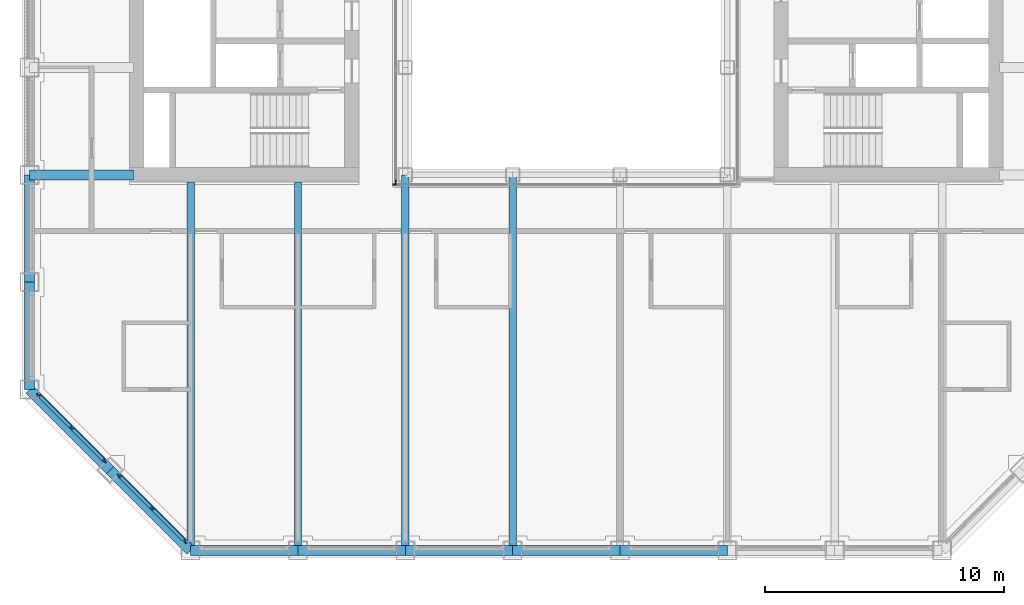
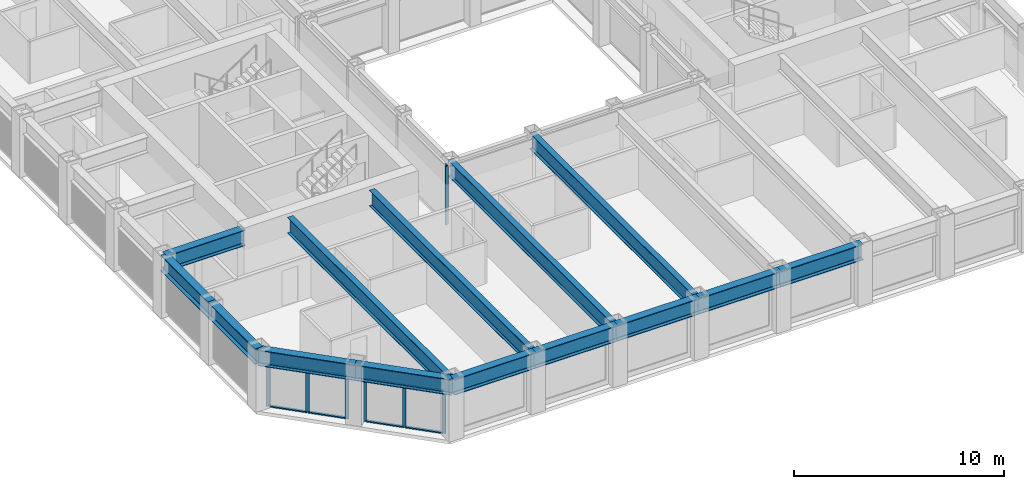
# One storey, part 2 of 17: 16 members, 14 beams, 4 elements without a shape of their own.
"""IFC4 building model written with IfcOpenShell, lengths in metres."""

from ifc_helpers import new_model, si_unit, direction, frame, origin, origin_2d, place, context, subcontext, project, spatial, rectangle, i_section, extrude, material, material_profile, profile_set, type_object, element, aggregate, save


model = new_model("IFC4")

# Units and contexts
model_context = context("Model", 3, precision=1e-05, world=origin(), true_north=direction((0.0, 1.0)))
body_context = subcontext(model_context, "Body", "Model", "MODEL_VIEW")
ifc_project = project(units=[si_unit("LENGTHUNIT", "METRE"), si_unit("AREAUNIT", "SQUARE_METRE"), si_unit("VOLUMEUNIT", "CUBIC_METRE"), si_unit("PLANEANGLEUNIT", "RADIAN"), si_unit("MASSUNIT", "GRAM", prefix="KILO")], contexts=[model_context])

# Site, building, storey
site_placement = place(None, origin())
site = spatial("IfcSite", under=ifc_project, at=site_placement, CompositionType="ELEMENT")
building_placement = place(site_placement, origin())
building = spatial("IfcBuilding", under=site, at=building_placement, Name="Msasa Ring Tower", CompositionType="ELEMENT")
storey_placement = place(building_placement, frame((0.0, 0.0, 143.60009765625)))
storey = spatial("IfcBuildingStorey", under=building, at=storey_placement, Name="L37", CompositionType="ELEMENT", Elevation=143.60009765625)

# Curtain wall, members
ifc_material_1 = material(Name="Aluminium curtain wall with clear glass", Category="aluminium")
curtain_wall_type_1 = type_object("IfcCurtainWallType", Name="CW-C CHAMFER CORNER CURTAIN WALL", PredefinedType="NOTDEFINED", material=ifc_material_1)
curtain_wall_1_placement = place(storey_placement, origin())
curtain_wall_1 = element("IfcCurtainWall", 1, at=curtain_wall_1_placement, inside=storey, type_object=curtain_wall_type_1, Name="Chamfer corner curtain wall SW L37", PredefinedType="NOTDEFINED")
ifc_material_2 = material(Name="Aluminium mullion", Category="aluminium")
ifc_material_profile_1 = material_profile(ifc_material_2, rectangle(XDim=0.06494140625, YDim=0.179931640625, at=origin_2d()), Name="AL 65x180")
ifc_profile_set_1 = profile_set([ifc_material_profile_1], Name="Aluminium mullion")
member_type_1 = type_object("IfcMemberType", Name="CW-C MULLION 65x180", PredefinedType="MULLION", material=ifc_profile_set_1)
member_1_placement = place(storey_placement, frame((-22.119873046875, -15.98876953125, 0.0), z_axis=(0.0, 0.0, 1.0), x_axis=(0.707106781187, 0.707106781187, 0.0)))
member_1 = element("IfcMember", 2, at=member_1_placement, type_object=member_type_1, Name="CW-C mullion 1", PredefinedType="MULLION", context=body_context, shape_type="SweptSolid", body=[
    extrude(rectangle(XDim=0.06494140625, YDim=0.179931640625, at=origin_2d()), origin(), (0.0, 0.0, 1.0), 2.47900390625),
])
member_2_placement = place(storey_placement, frame((-20.74169921875, -17.36669921875, 0.0), z_axis=(0.0, 0.0, 1.0), x_axis=(0.707106781187, 0.707106781187, 0.0)))
member_2 = element("IfcMember", 3, at=member_2_placement, type_object=member_type_1, Name="CW-C mullion 2", PredefinedType="MULLION", context=body_context, shape_type="SweptSolid", body=[
    extrude(rectangle(XDim=0.06494140625, YDim=0.179931640625, at=origin_2d()), origin(), (0.0, 0.0, 1.0), 2.47900390625),
])
member_3_placement = place(storey_placement, frame((-19.36376953125, -18.744873046875, 0.0), z_axis=(0.0, 0.0, 1.0), x_axis=(0.707106781187, 0.707106781187, 0.0)))
member_3 = element("IfcMember", 4, at=member_3_placement, type_object=member_type_1, Name="CW-C mullion 3", PredefinedType="MULLION", context=body_context, shape_type="SweptSolid", body=[
    extrude(rectangle(XDim=0.06494140625, YDim=0.179931640625, at=origin_2d()), origin(), (0.0, 0.0, 1.0), 2.47900390625),
])

curtain_wall_2_placement = place(storey_placement, origin())
curtain_wall_2 = element("IfcCurtainWall", 5, at=curtain_wall_2_placement, inside=storey, type_object=curtain_wall_type_1, Name="Chamfer corner curtain wall SW L37", PredefinedType="NOTDEFINED")
member_4_placement = place(storey_placement, frame((-18.744873046875, -19.36376953125, 0.0), z_axis=(0.0, 0.0, 1.0), x_axis=(0.707106781187, 0.707106781187, 0.0)))
member_4 = element("IfcMember", 6, at=member_4_placement, type_object=member_type_1, Name="CW-C mullion 1", PredefinedType="MULLION", context=body_context, shape_type="SweptSolid", body=[
    extrude(rectangle(XDim=0.06494140625, YDim=0.179931640625, at=origin_2d()), origin(), (0.0, 0.0, 1.0), 2.47900390625),
])
member_5_placement = place(storey_placement, frame((-17.36669921875, -20.74169921875, 0.0), z_axis=(0.0, 0.0, 1.0), x_axis=(0.707106781187, 0.707106781187, 0.0)))
member_5 = element("IfcMember", 7, at=member_5_placement, type_object=member_type_1, Name="CW-C mullion 2", PredefinedType="MULLION", context=body_context, shape_type="SweptSolid", body=[
    extrude(rectangle(XDim=0.06494140625, YDim=0.179931640625, at=origin_2d()), origin(), (0.0, 0.0, 1.0), 2.47900390625),
])
member_6_placement = place(storey_placement, frame((-15.98876953125, -22.119873046875, 0.0), z_axis=(0.0, 0.0, 1.0), x_axis=(0.707106781187, 0.707106781187, 0.0)))
member_6 = element("IfcMember", 8, at=member_6_placement, type_object=member_type_1, Name="CW-C mullion 3", PredefinedType="MULLION", context=body_context, shape_type="SweptSolid", body=[
    extrude(rectangle(XDim=0.06494140625, YDim=0.179931640625, at=origin_2d()), origin(), (0.0, 0.0, 1.0), 2.47900390625),
])

# Member
ifc_material_3 = material(Name="Aluminium transom", Category="aluminium")
ifc_material_profile_2 = material_profile(ifc_material_3, rectangle(XDim=0.139892578125, YDim=0.06494140625, at=origin_2d()), Name="AL 65x140")
ifc_profile_set_2 = profile_set([ifc_material_profile_2], Name="Aluminium transom")
member_type_2 = type_object("IfcMemberType", Name="CW-C TRANSOM 65x140", PredefinedType="USERDEFINED", material=ifc_profile_set_2)
member_7_placement = place(storey_placement, frame((-22.096923828125, -16.01171875, 0.032470703125), z_axis=(0.707106781187, -0.707106781187, 0.0), x_axis=(0.707106781187, 0.707106781187, 0.0)))
member_7 = element("IfcMember", 9, at=member_7_placement, type_object=member_type_2, Name="CW-C transom 1.1", ObjectType="TRANSOM", PredefinedType="USERDEFINED", context=body_context, shape_type="SweptSolid", body=[
    extrude(rectangle(XDim=0.139892578125, YDim=0.06494140625, at=origin_2d()), origin(), (0.0, 0.0, 1.0), 1.8837890625),
])

member_8_placement = place(storey_placement, frame((-22.096923828125, -16.01171875, 2.4462890625), z_axis=(0.707106781187, -0.707106781187, 0.0), x_axis=(0.707106781187, 0.707106781187, 0.0)))
member_8 = element("IfcMember", 10, at=member_8_placement, type_object=member_type_2, Name="CW-C transom 1.2", ObjectType="TRANSOM", PredefinedType="USERDEFINED", context=body_context, shape_type="SweptSolid", body=[
    extrude(rectangle(XDim=0.139892578125, YDim=0.06494140625, at=origin_2d()), origin(), (0.0, 0.0, 1.0), 1.8837890625),
])

member_9_placement = place(storey_placement, frame((-20.71875, -17.389892578125, 0.032470703125), z_axis=(0.707106781187, -0.707106781187, 0.0), x_axis=(0.707106781187, 0.707106781187, 0.0)))
member_9 = element("IfcMember", 11, at=member_9_placement, type_object=member_type_2, Name="CW-C transom 2.1", ObjectType="TRANSOM", PredefinedType="USERDEFINED", context=body_context, shape_type="SweptSolid", body=[
    extrude(rectangle(XDim=0.139892578125, YDim=0.06494140625, at=origin_2d()), origin(), (0.0, 0.0, 1.0), 1.8837890625),
])

member_10_placement = place(storey_placement, frame((-20.71875, -17.389892578125, 2.4462890625), z_axis=(0.707106781187, -0.707106781187, 0.0), x_axis=(0.707106781187, 0.707106781187, 0.0)))
member_10 = element("IfcMember", 12, at=member_10_placement, type_object=member_type_2, Name="CW-C transom 2.2", ObjectType="TRANSOM", PredefinedType="USERDEFINED", context=body_context, shape_type="SweptSolid", body=[
    extrude(rectangle(XDim=0.139892578125, YDim=0.06494140625, at=origin_2d()), origin(), (0.0, 0.0, 1.0), 1.8837890625),
])

aggregate(curtain_wall_1, [member_1, member_2, member_3, member_7, member_8, member_9, member_10])

member_11_placement = place(storey_placement, frame((-18.721923828125, -19.38671875, 0.032470703125), z_axis=(0.707106781187, -0.707106781187, 0.0), x_axis=(0.707106781187, 0.707106781187, 0.0)))
member_11 = element("IfcMember", 13, at=member_11_placement, type_object=member_type_2, Name="CW-C transom 1.1", ObjectType="TRANSOM", PredefinedType="USERDEFINED", context=body_context, shape_type="SweptSolid", body=[
    extrude(rectangle(XDim=0.139892578125, YDim=0.06494140625, at=origin_2d()), origin(), (0.0, 0.0, 1.0), 1.8837890625),
])

member_12_placement = place(storey_placement, frame((-18.721923828125, -19.38671875, 2.4462890625), z_axis=(0.707106781187, -0.707106781187, 0.0), x_axis=(0.707106781187, 0.707106781187, 0.0)))
member_12 = element("IfcMember", 14, at=member_12_placement, type_object=member_type_2, Name="CW-C transom 1.2", ObjectType="TRANSOM", PredefinedType="USERDEFINED", context=body_context, shape_type="SweptSolid", body=[
    extrude(rectangle(XDim=0.139892578125, YDim=0.06494140625, at=origin_2d()), origin(), (0.0, 0.0, 1.0), 1.8837890625),
])

member_13_placement = place(storey_placement, frame((-17.34375, -20.764892578125, 0.032470703125), z_axis=(0.707106781187, -0.707106781187, 0.0), x_axis=(0.707106781187, 0.707106781187, 0.0)))
member_13 = element("IfcMember", 15, at=member_13_placement, type_object=member_type_2, Name="CW-C transom 2.1", ObjectType="TRANSOM", PredefinedType="USERDEFINED", context=body_context, shape_type="SweptSolid", body=[
    extrude(rectangle(XDim=0.139892578125, YDim=0.06494140625, at=origin_2d()), origin(), (0.0, 0.0, 1.0), 1.8837890625),
])

member_14_placement = place(storey_placement, frame((-17.34375, -20.764892578125, 2.4462890625), z_axis=(0.707106781187, -0.707106781187, 0.0), x_axis=(0.707106781187, 0.707106781187, 0.0)))
member_14 = element("IfcMember", 16, at=member_14_placement, type_object=member_type_2, Name="CW-C transom 2.2", ObjectType="TRANSOM", PredefinedType="USERDEFINED", context=body_context, shape_type="SweptSolid", body=[
    extrude(rectangle(XDim=0.139892578125, YDim=0.06494140625, at=origin_2d()), origin(), (0.0, 0.0, 1.0), 1.8837890625),
])

aggregate(curtain_wall_2, [member_4, member_5, member_6, member_11, member_12, member_13, member_14])

# Curtain wall, member
ifc_material_4 = material(Name="Aluminium curtain wall with clear glass", Category="aluminium")
curtain_wall_type_2 = type_object("IfcCurtainWallType", Name="CW-W LIGHT WELL CURTAIN WALL", PredefinedType="NOTDEFINED", material=ifc_material_4)
curtain_wall_3_placement = place(storey_placement, origin())
curtain_wall_3 = element("IfcCurtainWall", 17, at=curtain_wall_3_placement, inside=storey, type_object=curtain_wall_type_2, Name="Light well curtain wall S L37", PredefinedType="NOTDEFINED")
ifc_material_5 = material(Name="Aluminium mullion", Category="aluminium")
ifc_material_profile_3 = material_profile(ifc_material_5, rectangle(XDim=0.06005859375, YDim=0.159912109375, at=origin_2d()), Name="AL 60x160")
ifc_profile_set_3 = profile_set([ifc_material_profile_3], Name="Aluminium mullion")
member_type_3 = type_object("IfcMemberType", Name="CW-W MULLION 60x160", PredefinedType="MULLION", material=ifc_profile_set_3)
member_15_placement = place(storey_placement, frame((-7.199951171875, -7.14990234375, 0.0), z_axis=(0.0, 0.0, 1.0), x_axis=(0.0, 1.0, 0.0)))
member_15 = element("IfcMember", 18, at=member_15_placement, type_object=member_type_3, Name="CW-W mullion 1", PredefinedType="MULLION", context=body_context, shape_type="SweptSolid", body=[
    extrude(rectangle(XDim=0.06005859375, YDim=0.159912109375, at=origin_2d()), origin(), (0.0, 0.0, 1.0), 3.39990234375),
])
aggregate(curtain_wall_3, [member_15])

curtain_wall_4_placement = place(storey_placement, origin())
curtain_wall_4 = element("IfcCurtainWall", 19, at=curtain_wall_4_placement, inside=storey, type_object=curtain_wall_type_2, Name="Light well curtain wall W L37", PredefinedType="NOTDEFINED")
member_16_placement = place(storey_placement, frame((-7.14990234375, -7.0400390625, 0.0), z_axis=(0.0, 0.0, 1.0), x_axis=(-1.0, 0.0, 0.0)))
member_16 = element("IfcMember", 20, at=member_16_placement, type_object=member_type_3, Name="CW-W mullion 1", PredefinedType="MULLION", context=body_context, shape_type="SweptSolid", body=[
    extrude(rectangle(XDim=0.06005859375, YDim=0.159912109375, at=origin_2d()), origin(), (0.0, 0.0, 1.0), 3.39990234375),
])
aggregate(curtain_wall_4, [member_16])

# Beams
ifc_material_6 = material(Name="Steel S355", Category="steel")
ifc_material_profile_4 = material_profile(ifc_material_6, i_section(OverallWidth=0.3076171875, OverallDepth=0.926513671875, WebThickness=0.01953125, FlangeThickness=0.031982421875, FilletRadius=0.01904296875, at=origin_2d()), Name="UB 914x305x289")
ifc_profile_set_4 = profile_set([ifc_material_profile_4], Name="Steel S355")
beam_type_1 = type_object("IfcBeamType", Name="FB3 UB 914x305x289", PredefinedType="BEAM", material=ifc_profile_set_4)
for number, where, z_axis, x_axis, name in (
    (21, (-15.75, -22.5, 2.9365234375), (0.0, 1.0, 0.0), (-1.0, 0.0, 0.0), "Floor beam S-15.75 under L38"),
    (22, (-11.25, -22.5, 2.9365234375), (0.0, 1.0, 0.0), (-1.0, 0.0, 0.0), "Floor beam S-11.25 under L38"),
):
    element("IfcBeam", number, at=place(storey_placement, frame(where, z_axis=z_axis, x_axis=x_axis)), inside=storey, type_object=beam_type_1, Name=name, PredefinedType="BEAM", context=body_context, shape_type="SweptSolid", body=[
        extrude(i_section(OverallWidth=0.3076171875, OverallDepth=0.926513671875, WebThickness=0.01953125, FlangeThickness=0.031982421875, FilletRadius=0.01904296875, at=origin_2d()), origin(), (0.0, 0.0, 1.0), 15.449951171875),
    ])
for number, where, z_axis, x_axis, name in (
    (23, (-6.75, -22.5, 2.9365234375), (0.0, 1.0, 0.0), (-1.0, 0.0, 0.0), "Floor beam S-6.75 under L38"),
    (24, (-2.25, -22.5, 2.9365234375), (0.0, 1.0, 0.0), (-1.0, 0.0, 0.0), "Floor beam S-2.25 under L38"),
):
    element("IfcBeam", number, at=place(storey_placement, frame(where, z_axis=z_axis, x_axis=x_axis)), inside=storey, type_object=beam_type_1, Name=name, PredefinedType="BEAM", context=body_context, shape_type="SweptSolid", body=[
        extrude(i_section(OverallWidth=0.3076171875, OverallDepth=0.926513671875, WebThickness=0.01953125, FlangeThickness=0.031982421875, FilletRadius=0.01904296875, at=origin_2d()), origin(), (0.0, 0.0, 1.0), 15.75),
    ])
ifc_material_7 = material(Name="Steel S355", Category="steel")
ifc_material_profile_5 = material_profile(ifc_material_7, i_section(OverallWidth=0.42041015625, OverallDepth=0.9208984375, WebThickness=0.021484375, FlangeThickness=0.03662109375, FilletRadius=0.024169921875, at=origin_2d()), Name="UB 914x419x388")
ifc_profile_set_5 = profile_set([ifc_material_profile_5], Name="Steel S355")
beam_type_2 = type_object("IfcBeamType", Name="GB1 UB 914x419x388", PredefinedType="BEAM", material=ifc_profile_set_5)
beam_placement = place(storey_placement, frame((-18.14990234375, -6.75, 2.939453125), z_axis=(-1.0, 0.0, 0.0), x_axis=(0.0, -1.0, 0.0)))
element("IfcBeam", 25, at=beam_placement, inside=storey, type_object=beam_type_2, Name="Girder W -6.75 under L38", PredefinedType="BEAM", context=body_context, shape_type="SweptSolid", body=[
    extrude(i_section(OverallWidth=0.42041015625, OverallDepth=0.9208984375, WebThickness=0.021484375, FlangeThickness=0.03662109375, FilletRadius=0.024169921875, at=origin_2d()), origin(), (0.0, 0.0, 1.0), 4.35009765625),
])
ifc_material_8 = material(Name="Steel S355", Category="steel")
ifc_material_profile_6 = material_profile(ifc_material_8, i_section(OverallWidth=0.42041015625, OverallDepth=0.9208984375, WebThickness=0.021484375, FlangeThickness=0.03662109375, FilletRadius=0.024169921875, at=origin_2d()), Name="UB 914x419x388")
ifc_profile_set_6 = profile_set([ifc_material_profile_6], Name="Steel S355")
beam_type_3 = type_object("IfcBeamType", Name="SB1 UB 914x419x388", PredefinedType="SPANDREL", material=ifc_profile_set_6)
for number, where, z_axis, x_axis, name in (
    (26, (-22.5, -6.75, 2.939453125), (0.0, -1.0, 0.0), (1.0, 0.0, 0.0), "Spandrel W-6.75 to W-11.25 under L38"),
    (27, (-22.5, -11.25, 2.939453125), (0.0, -1.0, 0.0), (1.0, 0.0, 0.0), "Spandrel W-11.25 to W-15.75 under L38"),
):
    element("IfcBeam", number, at=place(storey_placement, frame(where, z_axis=z_axis, x_axis=x_axis)), inside=storey, type_object=beam_type_3, Name=name, PredefinedType="SPANDREL", context=body_context, shape_type="SweptSolid", body=[
        extrude(i_section(OverallWidth=0.42041015625, OverallDepth=0.9208984375, WebThickness=0.021484375, FlangeThickness=0.03662109375, FilletRadius=0.024169921875, at=origin_2d()), origin(), (0.0, 0.0, 1.0), 4.5),
    ])
for number, where, z_axis, x_axis, name in (
    (28, (-22.5, -15.75, 2.939453125), (0.707106781187, -0.707106781187, 0.0), (0.707106781187, 0.707106781187, 0.0), "Spandrel W-15.75 to SW under L38"),
    (29, (-19.125, -19.125, 2.939453125), (0.707106781187, -0.707106781187, 0.0), (0.707106781187, 0.707106781187, 0.0), "Spandrel SW to S-15.75 under L38"),
):
    element("IfcBeam", number, at=place(storey_placement, frame(where, z_axis=z_axis, x_axis=x_axis)), inside=storey, type_object=beam_type_3, Name=name, PredefinedType="SPANDREL", context=body_context, shape_type="SweptSolid", body=[
        extrude(i_section(OverallWidth=0.42041015625, OverallDepth=0.9208984375, WebThickness=0.021484375, FlangeThickness=0.03662109375, FilletRadius=0.024169921875, at=origin_2d()), origin(), (0.0, 0.0, 1.0), 4.77294921875),
    ])
for number, where, z_axis, x_axis, name in (
    (30, (-15.75, -22.5, 2.939453125), (1.0, 0.0, 0.0), (0.0, 1.0, 0.0), "Spandrel S-15.75 to S-11.25 under L38"),
    (31, (-11.25, -22.5, 2.939453125), (1.0, 0.0, 0.0), (0.0, 1.0, 0.0), "Spandrel S-11.25 to S-6.75 under L38"),
    (32, (-6.75, -22.5, 2.939453125), (1.0, 0.0, 0.0), (0.0, 1.0, 0.0), "Spandrel S-6.75 to S-2.25 under L38"),
    (33, (-2.25, -22.5, 2.939453125), (1.0, 0.0, 0.0), (0.0, 1.0, 0.0), "Spandrel S-2.25 to S+2.25 under L38"),
    (34, (2.25, -22.5, 2.939453125), (1.0, 0.0, 0.0), (0.0, 1.0, 0.0), "Spandrel S+2.25 to S+6.75 under L38"),
):
    element("IfcBeam", number, at=place(storey_placement, frame(where, z_axis=z_axis, x_axis=x_axis)), inside=storey, type_object=beam_type_3, Name=name, PredefinedType="SPANDREL", context=body_context, shape_type="SweptSolid", body=[
        extrude(i_section(OverallWidth=0.42041015625, OverallDepth=0.9208984375, WebThickness=0.021484375, FlangeThickness=0.03662109375, FilletRadius=0.024169921875, at=origin_2d()), origin(), (0.0, 0.0, 1.0), 4.5),
    ])

save(model, "model.ifc")
